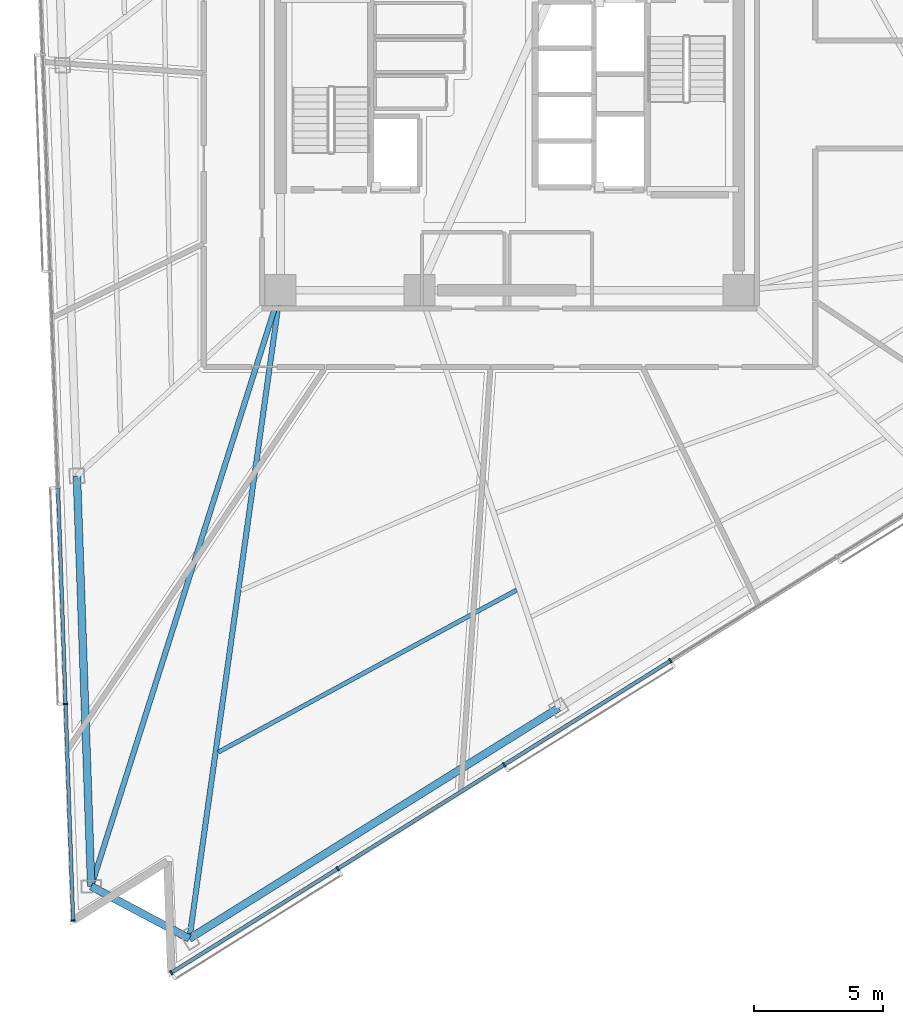
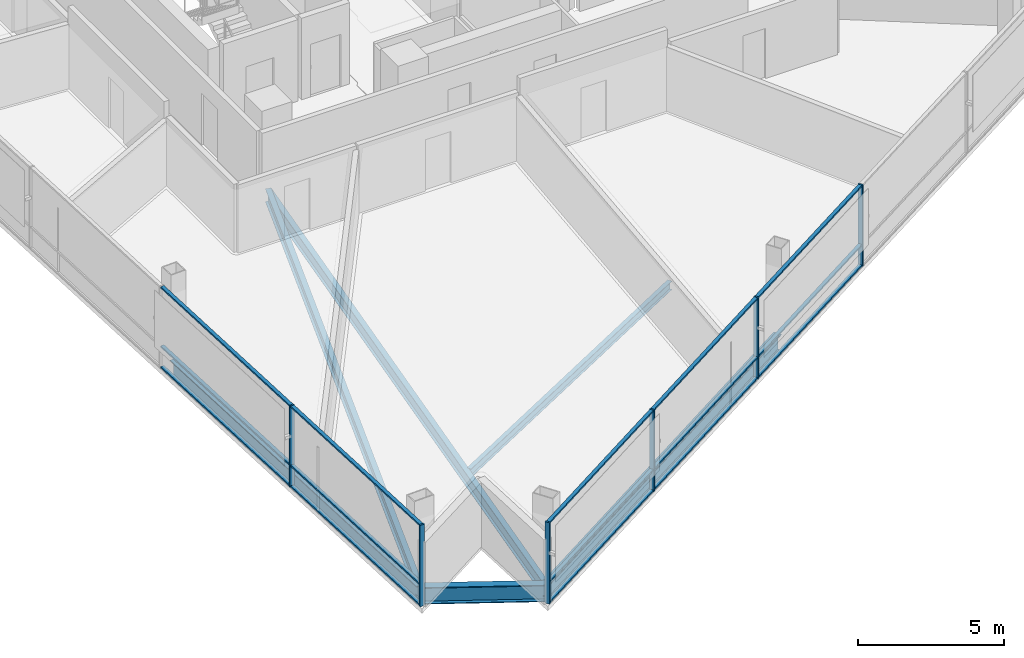
# One storey, part 2 of 20: 21 members, 6 beams, 2 elements without a shape of their own.
"""IFC4 building model written with IfcOpenShell, lengths in metres."""

from ifc_helpers import new_model, si_unit, direction, frame, origin, origin_2d, place, context, subcontext, project, spatial, rectangle, i_section, extrude, material, layer, layer_set, material_profile, profile_set, type_object, element, aggregate, save


model = new_model("IFC4")

# Units and contexts
model_context = context("Model", 3, precision=1e-05, world=origin(), true_north=direction((0.0, 1.0)))
body_context = subcontext(model_context, "Body", "Model", "MODEL_VIEW")
ifc_project = project(units=[si_unit("LENGTHUNIT", "METRE"), si_unit("AREAUNIT", "SQUARE_METRE"), si_unit("VOLUMEUNIT", "CUBIC_METRE"), si_unit("PLANEANGLEUNIT", "RADIAN"), si_unit("MASSUNIT", "GRAM", prefix="KILO")], contexts=[model_context])

# Site, building, storey
site_placement = place(None, origin())
site = spatial("IfcSite", under=ifc_project, at=site_placement, CompositionType="ELEMENT")
building_placement = place(site_placement, origin())
building = spatial("IfcBuilding", under=site, at=building_placement, Name="Tharavind Bronze Gate", CompositionType="ELEMENT")
storey_placement = place(building_placement, frame((0.0, 0.0, 149.60009765625)))
storey = spatial("IfcBuildingStorey", under=building, at=storey_placement, Name="L38", CompositionType="ELEMENT", Elevation=149.60009765625)

# Curtain wall, members
ifc_material_1 = material(Name="Anodised Bronze Aluminium", Category="aluminium")
ifc_layer = layer(ifc_material_1, 0.219970703125)
ifc_layer_set = layer_set([ifc_layer], Name="Anodised Bronze Aluminium")
curtain_wall_type = type_object("IfcCurtainWallType", Name="UNITISED CURTAIN WALL MID OFFICE", PredefinedType="USERDEFINED", material=ifc_layer_set)
curtain_wall_1_placement = place(storey_placement, origin())
curtain_wall_1 = element("IfcCurtainWall", 1, at=curtain_wall_1_placement, inside=storey, type_object=curtain_wall_type, Name="L38 unitised curtain wall mid office CW-L38-S1", ObjectType="UNITISED CURTAIN WALL", PredefinedType="USERDEFINED")
member_type_1 = type_object("IfcMemberType", Name="CURTAIN WALL BRONZE MULLION 65X180", PredefinedType="MULLION", material=ifc_material_1)
member_1_placement = place(storey_placement, frame((-17.25146484375, -23.6826171875, 0.0), z_axis=(0.0, 0.0, 1.0), x_axis=(0.034899496703, -0.999390827019, 0.0)))
member_1 = element("IfcMember", 2, at=member_1_placement, type_object=member_type_1, Name="CW-L38-S1 mullion 6", PredefinedType="MULLION", context=body_context, shape_type="SweptSolid", body=[
    extrude(rectangle(XDim=0.06494140625, YDim=0.179931640625, at=origin_2d()), origin(), (0.0, 0.0, 1.0), 3.409912109375),
])
member_2_placement = place(storey_placement, frame((-16.957763671875, -32.092041015625, 0.0), z_axis=(0.0, 0.0, 1.0), x_axis=(0.034899496703, -0.999390827019, 0.0)))
member_2 = element("IfcMember", 3, at=member_2_placement, type_object=member_type_1, Name="CW-L38-S1 mullion 7", PredefinedType="MULLION", context=body_context, shape_type="SweptSolid", body=[
    extrude(rectangle(XDim=0.06494140625, YDim=0.179931640625, at=origin_2d()), origin(), (0.0, 0.0, 1.0), 3.409912109375),
])

curtain_wall_2_placement = place(storey_placement, origin())
curtain_wall_2 = element("IfcCurtainWall", 4, at=curtain_wall_2_placement, inside=storey, type_object=curtain_wall_type, Name="L38 unitised curtain wall mid office CW-L38-S2", ObjectType="UNITISED CURTAIN WALL", PredefinedType="USERDEFINED")
member_3_placement = place(storey_placement, frame((-13.1435546875, -34.120361328125, 0.0), z_axis=(0.0, 0.0, 1.0), x_axis=(0.848048096156, 0.529919264233, 0.0)))
member_3 = element("IfcMember", 5, at=member_3_placement, type_object=member_type_1, Name="CW-L38-S2 mullion 1", PredefinedType="MULLION", context=body_context, shape_type="SweptSolid", body=[
    extrude(rectangle(XDim=0.06494140625, YDim=0.179931640625, at=origin_2d()), origin(), (0.0, 0.0, 1.0), 3.409912109375),
])
member_4_placement = place(storey_placement, frame((-6.677978515625, -30.080078125, 0.0), z_axis=(0.0, 0.0, 1.0), x_axis=(0.848048096156, 0.529919264233, 0.0)))
member_4 = element("IfcMember", 6, at=member_4_placement, type_object=member_type_1, Name="CW-L38-S2 mullion 2", PredefinedType="MULLION", context=body_context, shape_type="SweptSolid", body=[
    extrude(rectangle(XDim=0.06494140625, YDim=0.179931640625, at=origin_2d()), origin(), (0.0, 0.0, 1.0), 3.409912109375),
])
member_5_placement = place(storey_placement, frame((-0.212646484375, -26.040283203125, 0.0), z_axis=(0.0, 0.0, 1.0), x_axis=(0.848048096156, 0.529919264233, 0.0)))
member_5 = element("IfcMember", 7, at=member_5_placement, type_object=member_type_1, Name="CW-L38-S2 mullion 3", PredefinedType="MULLION", context=body_context, shape_type="SweptSolid", body=[
    extrude(rectangle(XDim=0.06494140625, YDim=0.179931640625, at=origin_2d()), origin(), (0.0, 0.0, 1.0), 3.409912109375),
])
member_6_placement = place(storey_placement, frame((6.252685546875, -22.0, 0.0), z_axis=(0.0, 0.0, 1.0), x_axis=(0.848048096156, 0.529919264233, 0.0)))
member_6 = element("IfcMember", 8, at=member_6_placement, type_object=member_type_1, Name="CW-L38-S2 mullion 4", PredefinedType="MULLION", context=body_context, shape_type="SweptSolid", body=[
    extrude(rectangle(XDim=0.06494140625, YDim=0.179931640625, at=origin_2d()), origin(), (0.0, 0.0, 1.0), 3.409912109375),
])

# Member
member_type_2 = type_object("IfcMemberType", Name="CURTAIN WALL BRONZE TRANSOM 65X140", PredefinedType="USERDEFINED", material=ifc_material_1)
member_7_placement = place(storey_placement, frame((-17.398193359375, -19.477783203125, 0.0), z_axis=(0.0, 0.0, 1.0), x_axis=(0.034899496703, -0.999390827019, 0.0)))
member_7 = element("IfcMember", 9, at=member_7_placement, type_object=member_type_2, Name="CW-L38-S1 transom TB5", ObjectType="TRANSOM", PredefinedType="USERDEFINED", context=body_context, shape_type="SweptSolid", body=[
    extrude(rectangle(XDim=8.361572265625, YDim=0.139892578125, at=origin_2d()), origin(), (0.0, 0.0, 1.0), 0.06494140625),
])

member_8_placement = place(storey_placement, frame((-17.398193359375, -19.477783203125, 0.867431640625), z_axis=(0.0, 0.0, 1.0), x_axis=(0.034899496703, -0.999390827019, 0.0)))
member_8 = element("IfcMember", 10, at=member_8_placement, type_object=member_type_2, Name="CW-L38-S1 transom TS5", ObjectType="TRANSOM", PredefinedType="USERDEFINED", context=body_context, shape_type="SweptSolid", body=[
    extrude(rectangle(XDim=8.361572265625, YDim=0.139892578125, at=origin_2d()), origin(), (0.0, 0.0, 1.0), 0.06494140625),
])

member_9_placement = place(storey_placement, frame((-17.398193359375, -19.477783203125, 3.344970703125), z_axis=(0.0, 0.0, 1.0), x_axis=(0.034899496703, -0.999390827019, 0.0)))
member_9 = element("IfcMember", 11, at=member_9_placement, type_object=member_type_2, Name="CW-L38-S1 transom TT5", ObjectType="TRANSOM", PredefinedType="USERDEFINED", context=body_context, shape_type="SweptSolid", body=[
    extrude(rectangle(XDim=8.361572265625, YDim=0.139892578125, at=origin_2d()), origin(), (0.0, 0.0, 1.0), 0.06494140625),
])

member_10_placement = place(storey_placement, frame((-17.1044921875, -27.887451171875, 0.0), z_axis=(0.0, 0.0, 1.0), x_axis=(0.034899496703, -0.999390827019, 0.0)))
member_10 = element("IfcMember", 12, at=member_10_placement, type_object=member_type_2, Name="CW-L38-S1 transom TB6", ObjectType="TRANSOM", PredefinedType="USERDEFINED", context=body_context, shape_type="SweptSolid", body=[
    extrude(rectangle(XDim=8.361572265625, YDim=0.139892578125, at=origin_2d()), origin(), (0.0, 0.0, 1.0), 0.06494140625),
])

member_11_placement = place(storey_placement, frame((-17.1044921875, -27.887451171875, 0.867431640625), z_axis=(0.0, 0.0, 1.0), x_axis=(0.034899496703, -0.999390827019, 0.0)))
member_11 = element("IfcMember", 13, at=member_11_placement, type_object=member_type_2, Name="CW-L38-S1 transom TS6", ObjectType="TRANSOM", PredefinedType="USERDEFINED", context=body_context, shape_type="SweptSolid", body=[
    extrude(rectangle(XDim=8.361572265625, YDim=0.139892578125, at=origin_2d()), origin(), (0.0, 0.0, 1.0), 0.06494140625),
])

member_12_placement = place(storey_placement, frame((-17.1044921875, -27.887451171875, 3.344970703125), z_axis=(0.0, 0.0, 1.0), x_axis=(0.034899496703, -0.999390827019, 0.0)))
member_12 = element("IfcMember", 14, at=member_12_placement, type_object=member_type_2, Name="CW-L38-S1 transom TT6", ObjectType="TRANSOM", PredefinedType="USERDEFINED", context=body_context, shape_type="SweptSolid", body=[
    extrude(rectangle(XDim=8.361572265625, YDim=0.139892578125, at=origin_2d()), origin(), (0.0, 0.0, 1.0), 0.06494140625),
])

aggregate(curtain_wall_1, [member_1, member_2, member_7, member_8, member_9, member_10, member_11, member_12])

member_13_placement = place(storey_placement, frame((-9.910888671875, -32.100341796875, 0.0), z_axis=(0.0, 0.0, 1.0), x_axis=(0.848048096156, 0.529919264233, 0.0)))
member_13 = element("IfcMember", 15, at=member_13_placement, type_object=member_type_2, Name="CW-L38-S2 transom TB1", ObjectType="TRANSOM", PredefinedType="USERDEFINED", context=body_context, shape_type="SweptSolid", body=[
    extrude(rectangle(XDim=7.57080078125, YDim=0.139892578125, at=origin_2d()), origin(), (0.0, 0.0, 1.0), 0.06494140625),
])

member_14_placement = place(storey_placement, frame((-9.910888671875, -32.100341796875, 0.867431640625), z_axis=(0.0, 0.0, 1.0), x_axis=(0.848048096156, 0.529919264233, 0.0)))
member_14 = element("IfcMember", 16, at=member_14_placement, type_object=member_type_2, Name="CW-L38-S2 transom TS1", ObjectType="TRANSOM", PredefinedType="USERDEFINED", context=body_context, shape_type="SweptSolid", body=[
    extrude(rectangle(XDim=7.57080078125, YDim=0.139892578125, at=origin_2d()), origin(), (0.0, 0.0, 1.0), 0.06494140625),
])

member_15_placement = place(storey_placement, frame((-9.910888671875, -32.100341796875, 3.344970703125), z_axis=(0.0, 0.0, 1.0), x_axis=(0.848048096156, 0.529919264233, 0.0)))
member_15 = element("IfcMember", 17, at=member_15_placement, type_object=member_type_2, Name="CW-L38-S2 transom TT1", ObjectType="TRANSOM", PredefinedType="USERDEFINED", context=body_context, shape_type="SweptSolid", body=[
    extrude(rectangle(XDim=7.57080078125, YDim=0.139892578125, at=origin_2d()), origin(), (0.0, 0.0, 1.0), 0.06494140625),
])

member_16_placement = place(storey_placement, frame((-3.4453125, -28.060302734375, 0.0), z_axis=(0.0, 0.0, 1.0), x_axis=(0.848048096156, 0.529919264233, 0.0)))
member_16 = element("IfcMember", 18, at=member_16_placement, type_object=member_type_2, Name="CW-L38-S2 transom TB2", ObjectType="TRANSOM", PredefinedType="USERDEFINED", context=body_context, shape_type="SweptSolid", body=[
    extrude(rectangle(XDim=7.57080078125, YDim=0.139892578125, at=origin_2d()), origin(), (0.0, 0.0, 1.0), 0.06494140625),
])

member_17_placement = place(storey_placement, frame((-3.4453125, -28.060302734375, 0.867431640625), z_axis=(0.0, 0.0, 1.0), x_axis=(0.848048096156, 0.529919264233, 0.0)))
member_17 = element("IfcMember", 19, at=member_17_placement, type_object=member_type_2, Name="CW-L38-S2 transom TS2", ObjectType="TRANSOM", PredefinedType="USERDEFINED", context=body_context, shape_type="SweptSolid", body=[
    extrude(rectangle(XDim=7.57080078125, YDim=0.139892578125, at=origin_2d()), origin(), (0.0, 0.0, 1.0), 0.06494140625),
])

member_18_placement = place(storey_placement, frame((-3.4453125, -28.060302734375, 3.344970703125), z_axis=(0.0, 0.0, 1.0), x_axis=(0.848048096156, 0.529919264233, 0.0)))
member_18 = element("IfcMember", 20, at=member_18_placement, type_object=member_type_2, Name="CW-L38-S2 transom TT2", ObjectType="TRANSOM", PredefinedType="USERDEFINED", context=body_context, shape_type="SweptSolid", body=[
    extrude(rectangle(XDim=7.57080078125, YDim=0.139892578125, at=origin_2d()), origin(), (0.0, 0.0, 1.0), 0.06494140625),
])

member_19_placement = place(storey_placement, frame((3.02001953125, -24.020263671875, 0.0), z_axis=(0.0, 0.0, 1.0), x_axis=(0.848048096156, 0.529919264233, 0.0)))
member_19 = element("IfcMember", 21, at=member_19_placement, type_object=member_type_2, Name="CW-L38-S2 transom TB3", ObjectType="TRANSOM", PredefinedType="USERDEFINED", context=body_context, shape_type="SweptSolid", body=[
    extrude(rectangle(XDim=7.57080078125, YDim=0.139892578125, at=origin_2d()), origin(), (0.0, 0.0, 1.0), 0.06494140625),
])

member_20_placement = place(storey_placement, frame((3.02001953125, -24.020263671875, 0.867431640625), z_axis=(0.0, 0.0, 1.0), x_axis=(0.848048096156, 0.529919264233, 0.0)))
member_20 = element("IfcMember", 22, at=member_20_placement, type_object=member_type_2, Name="CW-L38-S2 transom TS3", ObjectType="TRANSOM", PredefinedType="USERDEFINED", context=body_context, shape_type="SweptSolid", body=[
    extrude(rectangle(XDim=7.57080078125, YDim=0.139892578125, at=origin_2d()), origin(), (0.0, 0.0, 1.0), 0.06494140625),
])

member_21_placement = place(storey_placement, frame((3.02001953125, -24.020263671875, 3.344970703125), z_axis=(0.0, 0.0, 1.0), x_axis=(0.848048096156, 0.529919264233, 0.0)))
member_21 = element("IfcMember", 23, at=member_21_placement, type_object=member_type_2, Name="CW-L38-S2 transom TT3", ObjectType="TRANSOM", PredefinedType="USERDEFINED", context=body_context, shape_type="SweptSolid", body=[
    extrude(rectangle(XDim=7.57080078125, YDim=0.139892578125, at=origin_2d()), origin(), (0.0, 0.0, 1.0), 0.06494140625),
])

aggregate(curtain_wall_2, [member_3, member_4, member_5, member_6, member_13, member_14, member_15, member_16, member_17, member_18, member_19, member_20, member_21])

# Beams
ifc_material_2 = material(Name="Steel S355", Category="steel")
ifc_material_profile_1 = material_profile(ifc_material_2, i_section(OverallWidth=0.2099609375, OverallDepth=0.550048828125, WebThickness=0.010986328125, FlangeThickness=0.01708984375, at=origin_2d()), Name="IPE550")
ifc_profile_set_1 = profile_set([ifc_material_profile_1], Name="Steel S355")
beam_type_1 = type_object("IfcBeamType", Name="PRIMARY GIRDER IPE550", PredefinedType="USERDEFINED", material=ifc_profile_set_1)
beam_1_placement = place(storey_placement, frame((-16.253662109375, -30.767578125, -0.465087890625), z_axis=(0.302541909504, 0.953136083146, 0.0), x_axis=(-0.953136083146, 0.302541909504, 0.0)))
element("IfcBeam", 24, at=beam_1_placement, inside=storey, type_object=beam_type_1, Name="L38 primary girder ipe550 BM-L38-RAD04", ObjectType="GIRDER", PredefinedType="USERDEFINED", context=body_context, shape_type="SweptSolid", body=[
    extrude(i_section(OverallWidth=0.2099609375, OverallDepth=0.550048828125, WebThickness=0.010986328125, FlangeThickness=0.01708984375, at=origin_2d()), origin(), (0.0, 0.0, 1.0), 24.306640625),
])
beam_2_placement = place(storey_placement, frame((-12.439208984375, -32.7958984375, -0.465087890625), z_axis=(0.139106336947, 0.990277449517, 0.0), x_axis=(-0.990277449517, 0.139106336947, 0.0)))
element("IfcBeam", 25, at=beam_2_placement, inside=storey, type_object=beam_type_1, Name="L38 primary girder ipe550 BM-L38-RAD05", ObjectType="GIRDER", PredefinedType="USERDEFINED", context=body_context, shape_type="SweptSolid", body=[
    extrude(i_section(OverallWidth=0.2099609375, OverallDepth=0.550048828125, WebThickness=0.010986328125, FlangeThickness=0.01708984375, at=origin_2d()), origin(), (0.0, 0.0, 1.0), 25.443115234375),
])
ifc_material_profile_2 = material_profile(ifc_material_2, i_section(OverallWidth=0.300048828125, OverallDepth=0.699951171875, WebThickness=0.01708984375, FlangeThickness=0.031982421875, at=origin_2d()), Name="HE700B")
ifc_profile_set_2 = profile_set([ifc_material_profile_2], Name="Steel S355")
beam_type_2 = type_object("IfcBeamType", Name="RING GIRDER HE700B", PredefinedType="USERDEFINED", material=ifc_profile_set_2)
beam_3_placement = place(storey_placement, frame((-16.810791015625, -14.814208984375, -0.5400390625), z_axis=(0.034901059648, -0.999390772439, 0.0), x_axis=(0.999390772439, 0.034901059648, 0.0)))
element("IfcBeam", 26, at=beam_3_placement, inside=storey, type_object=beam_type_2, Name="L38 ring girder he700b BM-L38-PRG03", ObjectType="GIRDER", PredefinedType="USERDEFINED", context=body_context, shape_type="SweptSolid", body=[
    extrude(i_section(OverallWidth=0.300048828125, OverallDepth=0.699951171875, WebThickness=0.01708984375, FlangeThickness=0.031982421875, at=origin_2d()), origin(), (0.0, 0.0, 1.0), 15.963134765625),
])
beam_4_placement = place(storey_placement, frame((-16.253662109375, -30.767578125, -0.5400390625), z_axis=(0.882934197132, -0.469496755618, 0.0), x_axis=(0.469496755618, 0.882934197132, 0.0)))
element("IfcBeam", 27, at=beam_4_placement, inside=storey, type_object=beam_type_2, Name="L38 ring girder he700b BM-L38-PRG04", ObjectType="GIRDER", PredefinedType="USERDEFINED", context=body_context, shape_type="SweptSolid", body=[
    extrude(i_section(OverallWidth=0.300048828125, OverallDepth=0.699951171875, WebThickness=0.01708984375, FlangeThickness=0.031982421875, at=origin_2d()), origin(), (0.0, 0.0, 1.0), 4.3203125),
])
beam_5_placement = place(storey_placement, frame((-12.439208984375, -32.7958984375, -0.5400390625), z_axis=(0.84804368744, 0.529926319589, 0.0), x_axis=(-0.529926319589, 0.84804368744, 0.0)))
element("IfcBeam", 28, at=beam_5_placement, inside=storey, type_object=beam_type_2, Name="L38 ring girder he700b BM-L38-PRG05", ObjectType="GIRDER", PredefinedType="USERDEFINED", context=body_context, shape_type="SweptSolid", body=[
    extrude(i_section(OverallWidth=0.300048828125, OverallDepth=0.699951171875, WebThickness=0.01708984375, FlangeThickness=0.031982421875, at=origin_2d()), origin(), (0.0, 0.0, 1.0), 16.923095703125),
])
ifc_material_profile_3 = material_profile(ifc_material_2, i_section(OverallWidth=0.169921875, OverallDepth=0.360107421875, WebThickness=0.008056640625, FlangeThickness=0.0126953125, at=origin_2d()), Name="IPE360")
ifc_profile_set_3 = profile_set([ifc_material_profile_3], Name="Steel S355")
beam_type_3 = type_object("IfcBeamType", Name="SECONDARY FLOOR JOIST IPE360", PredefinedType="JOIST", material=ifc_profile_set_3)
beam_6_placement = place(storey_placement, frame((-11.312255859375, -25.55078125, -0.3701171875), z_axis=(0.878664364141, 0.477439980718, 0.0), x_axis=(-0.477439980718, 0.878664364141, 0.0)))
element("IfcBeam", 29, at=beam_6_placement, inside=storey, type_object=beam_type_3, Name="L38 secondary floor joist ipe360 BM-L38-JSTB05", PredefinedType="JOIST", context=body_context, shape_type="SweptSolid", body=[
    extrude(i_section(OverallWidth=0.169921875, OverallDepth=0.360107421875, WebThickness=0.008056640625, FlangeThickness=0.0126953125, at=origin_2d()), origin(), (0.0, 0.0, 1.0), 13.184814453125),
])

save(model, "model.ifc")
